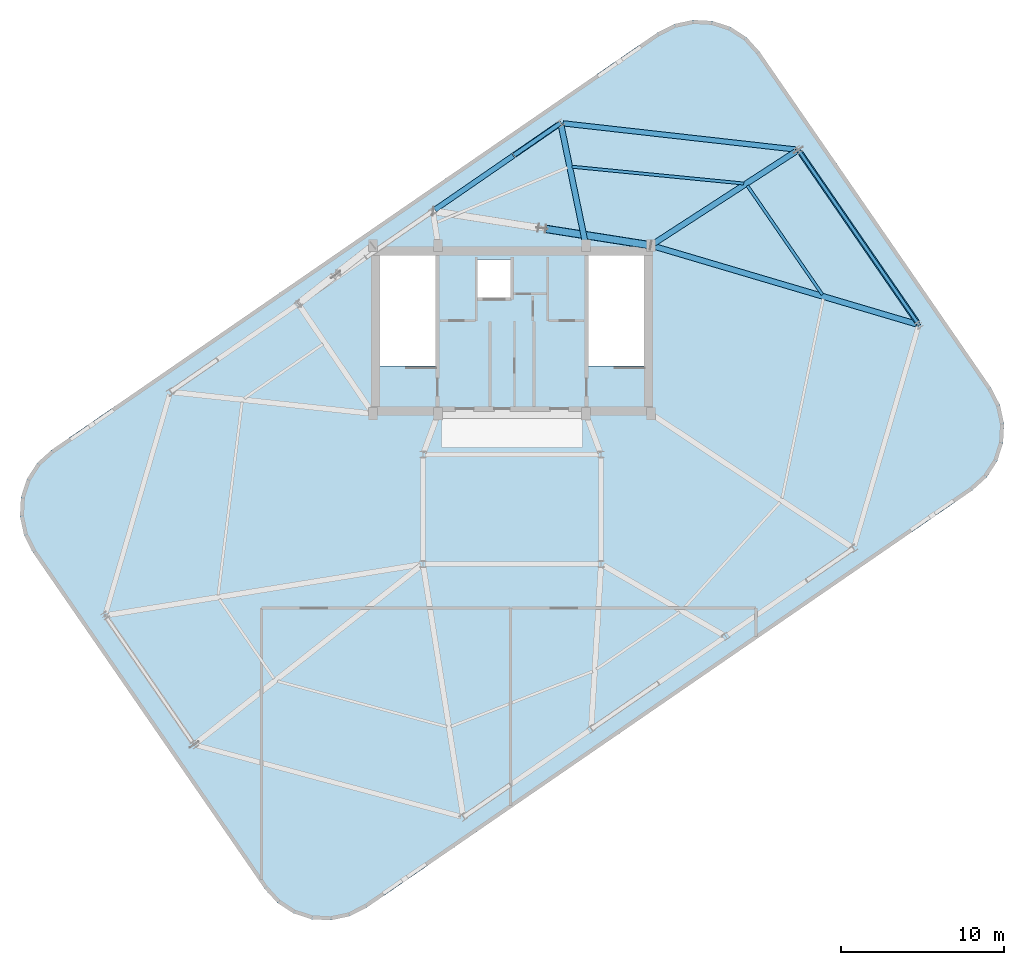
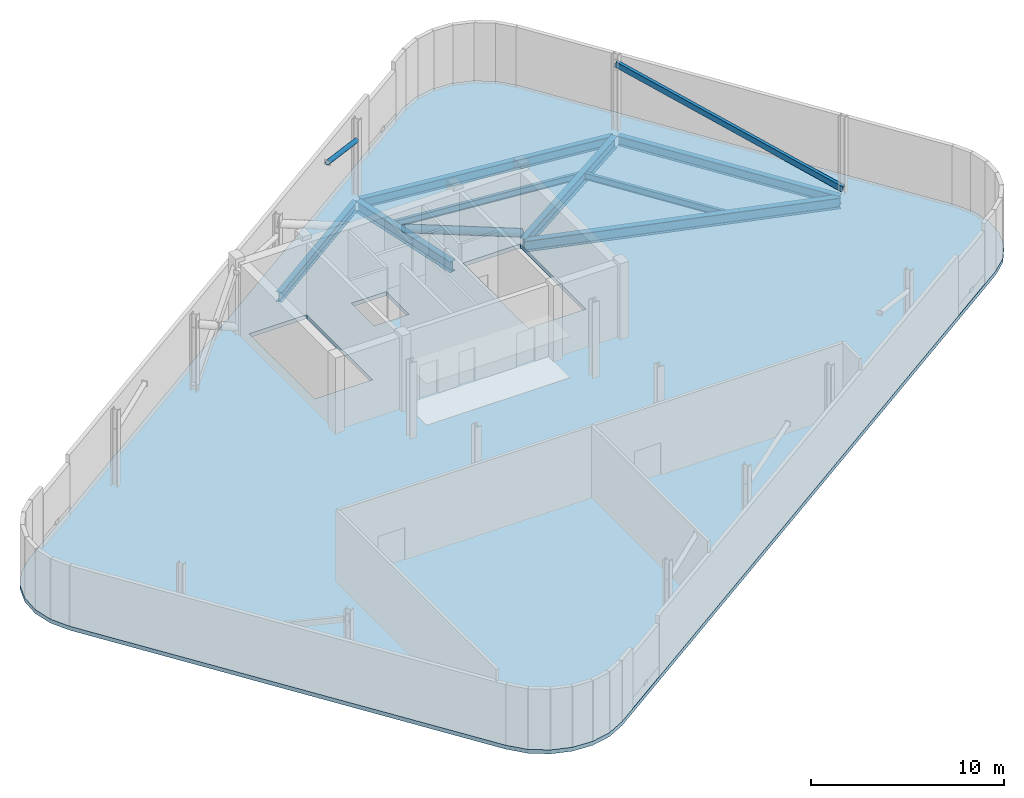
# One storey, part 2 of 10: 8 beams, 3 members, 1 slab.
"""IFC4 building model written with IfcOpenShell, lengths in metres."""

from ifc_helpers import new_model, si_unit, direction, frame, origin, origin_2d, place, context, subcontext, project, spatial, polyline, hollow_rectangle, hollow_circle, i_section, outline, extrude, material, layer, layer_set, material_profile, profile_set, type_object, element, save


model = new_model("IFC4")

# Units and contexts
model_context = context("Model", 3, precision=1e-05, world=origin(), true_north=direction((0.0, 1.0)))
body_context = subcontext(model_context, "Body", "Model", "MODEL_VIEW")
ifc_project = project(units=[si_unit("LENGTHUNIT", "METRE"), si_unit("AREAUNIT", "SQUARE_METRE"), si_unit("VOLUMEUNIT", "CUBIC_METRE"), si_unit("PLANEANGLEUNIT", "RADIAN"), si_unit("MASSUNIT", "GRAM", prefix="KILO")], contexts=[model_context])

# Site, building, storey
site_placement = place(None, origin())
site = spatial("IfcSite", under=ifc_project, at=site_placement, CompositionType="ELEMENT")
building_placement = place(site_placement, origin())
building = spatial("IfcBuilding", under=site, at=building_placement, Name="Varnelok Gate Tower", CompositionType="ELEMENT")
storey_placement = place(building_placement, frame((0.0, 0.0, 305.89990234375)))
storey = spatial("IfcBuildingStorey", under=building, at=storey_placement, Name="L78", CompositionType="ELEMENT", Elevation=305.89990234375)

# Beams
ifc_material_1 = material(Name="Structural Steel ASTM A992 Grade 50", Category="steel")
ifc_material_profile_1 = material_profile(ifc_material_1, i_section(OverallWidth=0.180908203125, OverallDepth=0.4169921875, WebThickness=0.010986328125, FlangeThickness=0.018310546875, FilletRadius=0.013916015625, at=origin_2d()), Name="W16X57")
ifc_profile_set_1 = profile_set([ifc_material_profile_1], Name="Structural Steel ASTM A992 Grade 50")
beam_type_1 = type_object("IfcBeamType", Name="BM-JST-W16X57", PredefinedType="JOIST", material=ifc_profile_set_1)
beam_1_placement = place(storey_placement, frame((58.19775390625, 36.032958984375, -0.45849609375), z_axis=(-0.56725984036, 0.823538871891, 0.0), x_axis=(-0.823538871891, -0.56725984036, 0.0)))
element("IfcBeam", 1, at=beam_1_placement, inside=storey, type_object=beam_type_1, Name="L78 Sector Floor Joist 5", PredefinedType="JOIST", context=body_context, shape_type="SweptSolid", body=[
    extrude(i_section(OverallWidth=0.180908203125, OverallDepth=0.4169921875, WebThickness=0.010986328125, FlangeThickness=0.018310546875, FilletRadius=0.013916015625, at=origin_2d()), origin(), (0.0, 0.0, 1.0), 8.10498046875),
])
beam_2_placement = place(storey_placement, frame((53.38134765625, 42.836669921875, -0.45849609375), z_axis=(-0.995248784304, 0.097364558957, 0.0), x_axis=(-0.097364558957, -0.995248784304, 0.0)))
element("IfcBeam", 2, at=beam_2_placement, inside=storey, type_object=beam_type_1, Name="L78 Sector Floor Joist 6", PredefinedType="JOIST", context=body_context, shape_type="SweptSolid", body=[
    extrude(i_section(OverallWidth=0.180908203125, OverallDepth=0.4169921875, WebThickness=0.010986328125, FlangeThickness=0.018310546875, FilletRadius=0.013916015625, at=origin_2d()), origin(), (0.0, 0.0, 1.0), 10.566650390625),
])
ifc_material_profile_2 = material_profile(ifc_material_1, i_section(OverallWidth=0.35498046875, OverallDepth=0.696044921875, WebThickness=0.015380859375, FlangeThickness=0.02490234375, FilletRadius=0.02001953125, at=origin_2d()), Name="W27X146")
ifc_profile_set_2 = profile_set([ifc_material_profile_2], Name="Structural Steel ASTM A992 Grade 50")
beam_type_2 = type_object("IfcBeamType", Name="BM-PRI-W27X146", PredefinedType="BEAM", material=ifc_profile_set_2)
beam_3_placement = place(storey_placement, frame((47.84375, 39.00732421875, -0.597900390625), z_axis=(0.958841196599, -0.283942881059, 0.0), x_axis=(0.283942881059, 0.958841196599, 0.0)))
element("IfcBeam", 3, at=beam_3_placement, inside=storey, type_object=beam_type_2, Name="L78 Radial Floor Girder 5", PredefinedType="BEAM", context=body_context, shape_type="SweptSolid", body=[
    extrude(i_section(OverallWidth=0.35498046875, OverallDepth=0.696044921875, WebThickness=0.015380859375, FlangeThickness=0.02490234375, FilletRadius=0.02001953125, at=origin_2d()), origin(), (0.0, 0.0, 1.0), 16.802734375),
])
beam_4_placement = place(storey_placement, frame((47.825927734375, 39.131591796875, -0.597900390625), z_axis=(0.839123772817, 0.543940524225, 0.0), x_axis=(-0.543940524225, 0.839123772817, 0.0)))
element("IfcBeam", 4, at=beam_4_placement, inside=storey, type_object=beam_type_2, Name="L78 Radial Floor Girder 6", PredefinedType="BEAM", context=body_context, shape_type="SweptSolid", body=[
    extrude(i_section(OverallWidth=0.35498046875, OverallDepth=0.696044921875, WebThickness=0.015380859375, FlangeThickness=0.02490234375, FilletRadius=0.02001953125, at=origin_2d()), origin(), (0.0, 0.0, 1.0), 10.454345703125),
])
beam_5_placement = place(storey_placement, frame((43.689697265625, 39.197021484375, -0.597900390625), z_axis=(-0.201649168815, 0.97945781569, 0.0), x_axis=(-0.97945781569, -0.201649168815, 0.0)))
element("IfcBeam", 5, at=beam_5_placement, inside=storey, type_object=beam_type_2, Name="L78 Radial Floor Girder 7", PredefinedType="BEAM", context=body_context, shape_type="SweptSolid", body=[
    extrude(i_section(OverallWidth=0.35498046875, OverallDepth=0.696044921875, WebThickness=0.015380859375, FlangeThickness=0.02490234375, FilletRadius=0.02001953125, at=origin_2d()), origin(), (0.0, 0.0, 1.0), 7.34423828125),
])
ifc_material_profile_3 = material_profile(ifc_material_1, i_section(OverallWidth=0.323974609375, OverallDepth=0.611083984375, WebThickness=0.0126953125, FlangeThickness=0.01904296875, FilletRadius=0.01806640625, at=origin_2d()), Name="W24X104")
ifc_profile_set_3 = profile_set([ifc_material_profile_3], Name="Structural Steel ASTM A992 Grade 50")
beam_type_3 = type_object("IfcBeamType", Name="BM-SPN-W24X104", PredefinedType="SPANDREL", material=ifc_profile_set_3)
beam_6_placement = place(storey_placement, frame((64.013671875, 34.317138671875, -0.555419921875), z_axis=(-0.56726612552, 0.823534542589, 0.0), x_axis=(-0.823534542589, -0.56726612552, 0.0)))
element("IfcBeam", 6, at=beam_6_placement, inside=storey, type_object=beam_type_3, Name="L78 Perimeter Spandrel Beam 5", PredefinedType="SPANDREL", context=body_context, shape_type="SweptSolid", body=[
    extrude(i_section(OverallWidth=0.323974609375, OverallDepth=0.611083984375, WebThickness=0.0126953125, FlangeThickness=0.01904296875, FilletRadius=0.01806640625, at=origin_2d()), origin(), (0.0, 0.0, 1.0), 12.7001953125),
])
beam_7_placement = place(storey_placement, frame((56.5751953125, 44.91650390625, -0.555419921875), z_axis=(-0.993722587756, 0.111872331629, 0.0), x_axis=(-0.111872331629, -0.993722587756, 0.0)))
element("IfcBeam", 7, at=beam_7_placement, inside=storey, type_object=beam_type_3, Name="L78 Perimeter Spandrel Beam 6", PredefinedType="SPANDREL", context=body_context, shape_type="SweptSolid", body=[
    extrude(i_section(OverallWidth=0.323974609375, OverallDepth=0.611083984375, WebThickness=0.0126953125, FlangeThickness=0.01904296875, FilletRadius=0.01806640625, at=origin_2d()), origin(), (0.0, 0.0, 1.0), 14.337890625),
])
beam_8_placement = place(storey_placement, frame((42.054931640625, 46.4521484375, -0.555419921875), z_axis=(-0.823544516234, -0.567251645905, 0.0), x_axis=(0.567251645905, -0.823544516234, 0.0)))
element("IfcBeam", 8, at=beam_8_placement, inside=storey, type_object=beam_type_3, Name="L78 Perimeter Spandrel Beam 7", PredefinedType="SPANDREL", context=body_context, shape_type="SweptSolid", body=[
    extrude(i_section(OverallWidth=0.323974609375, OverallDepth=0.611083984375, WebThickness=0.0126953125, FlangeThickness=0.01904296875, FilletRadius=0.01806640625, at=origin_2d()), origin(), (0.0, 0.0, 1.0), 9.199951171875),
])

# Members
ifc_material_2 = material(Name="Structural Steel ASTM A500 Grade C", Category="steel")
ifc_material_profile_4 = material_profile(ifc_material_2, hollow_rectangle(XDim=0.199951171875, YDim=0.35009765625, WallThickness=0.012451171875, at=origin_2d()), Name="HSS350X200X12")
ifc_profile_set_4 = profile_set([ifc_material_profile_4], Name="Structural Steel ASTM A500 Grade C")
member_type_1 = type_object("IfcMemberType", Name="MEM-BLT-BRACE2", PredefinedType="BRACE", material=ifc_profile_set_4)
member_1_placement = place(storey_placement, frame((64.0986328125, 34.193603515625, 0.2001953125), z_axis=(-0.542297676507, 0.787288542349, 0.293410942434), x_axis=(-0.823535285572, -0.567265046885, 0.0)))
element("IfcMember", 9, at=member_1_placement, inside=storey, type_object=member_type_1, Name="L78 Belt Truss Diagonal Brace 1", PredefinedType="BRACE", context=body_context, shape_type="SweptSolid", body=[
    extrude(hollow_rectangle(XDim=0.199951171875, YDim=0.35009765625, WallThickness=0.012451171875, at=origin_2d()), origin(), (0.0, 0.0, 1.0), 13.5986328125),
])
ifc_material_profile_5 = material_profile(ifc_material_2, hollow_circle(Radius=0.136474609375, WallThickness=0.012451171875, at=origin_2d()), Name="CHS273X12")
ifc_profile_set_5 = profile_set([ifc_material_profile_5], Name="Structural Steel ASTM A500 Grade C")
member_type_2 = type_object("IfcMemberType", Name="MEM-CANOPY-TIE", PredefinedType="BRACE", material=ifc_profile_set_5)
member_2_placement = place(storey_placement, frame((42.178466796875, 46.537109375, 3.440185546875), z_axis=(-0.802868810432, -0.552971048228, 0.222766005164), x_axis=(0.567224292079, -0.823563356686, 0.0)))
element("IfcMember", 10, at=member_2_placement, inside=storey, type_object=member_type_2, Name="Crown Canopy Inclined Strut 4", PredefinedType="BRACE", context=body_context, shape_type="SweptSolid", body=[
    extrude(hollow_circle(Radius=0.136474609375, WallThickness=0.012451171875, at=origin_2d()), origin(), (0.0, 0.0, 1.0), 3.59033203125),
])
ifc_material_profile_6 = material_profile(ifc_material_2, hollow_circle(Radius=0.228515625, WallThickness=0.02001953125, at=origin_2d()), Name="CHS457X20")
ifc_profile_set_6 = profile_set([ifc_material_profile_6], Name="Structural Steel ASTM A500 Grade C")
member_type_3 = type_object("IfcMemberType", Name="MEM-TRUSS-DIAG", PredefinedType="BRACE", material=ifc_profile_set_6)
member_3_placement = place(storey_placement, frame((47.699951171875, 39.050048828125, 0.2001953125), z_axis=(-0.947406292385, 0.148961453155, 0.283252189089), x_axis=(-0.155322619337, -0.987863798265, 0.0)))
element("IfcMember", 11, at=member_3_placement, inside=storey, type_object=member_type_3, Name="L78 Plant Outrigger Counter-Diagonal 2A", PredefinedType="BRACE", context=body_context, shape_type="SweptSolid", body=[
    extrude(hollow_circle(Radius=0.228515625, WallThickness=0.02001953125, at=origin_2d()), origin(), (0.0, 0.0, 1.0), 6.822998046875),
])

# Slab
ifc_material_3 = material(Name="Concrete C50/60", Category="concrete")
ifc_layer = layer(ifc_material_3, 0.25)
ifc_layer_set = layer_set([ifc_layer], Name="Concrete C50/60")
slab_type = type_object("IfcSlabType", Name="SLB-TYP-250", PredefinedType="FLOOR", material=ifc_layer_set)
slab_placement = place(storey_placement, frame((0.0, 0.0, -0.25)))
element("IfcSlab", 12, at=slab_placement, inside=storey, type_object=slab_type, Name="L78 Structural Floor Slab", PredefinedType="FLOOR", context=body_context, shape_type="SweptSolid", body=[
    extrude(outline(polyline([(24.055419921875, -0.310302734375), (24.84228515625, -1.1826171875), (25.828369140625, -1.8212890625), (26.94580078125, -2.18310546875), (28.119140625, -2.243408203125), (29.26806640625, -1.998046875), (30.314208984375, -1.463623046875), (67.373046875, 24.0634765625), (68.245361328125, 24.850341796875), (68.884033203125, 25.83642578125), (69.245849609375, 26.9541015625), (69.30615234375, 28.127197265625), (69.060791015625, 29.27587890625), (68.526123046875, 30.322021484375), (54.344482421875, 50.910400390625), (53.5576171875, 51.78271484375), (52.57177734375, 52.42138671875), (51.4541015625, 52.783203125), (50.281005859375, 52.843505859375), (49.132080078125, 52.59814453125), (48.0859375, 52.063720703125), (11.02685546875, 26.53662109375), (10.15478515625, 25.74951171875), (9.51611328125, 24.763671875), (9.154052734375, 23.64599609375), (9.093994140625, 22.472900390625), (9.33935546875, 21.323974609375), (9.873779296875, 20.27783203125), (24.055419921875, -0.310302734375)]), holes=[polyline([(34.550048828125, 31.679931640625), (34.550048828125, 38.449951171875), (31.10009765625, 38.449951171875), (31.10009765625, 31.679931640625), (34.550048828125, 31.679931640625)]), polyline([(47.300048828125, 31.679931640625), (47.300048828125, 38.449951171875), (43.85009765625, 38.449951171875), (43.85009765625, 31.679931640625), (47.300048828125, 31.679931640625)]), polyline([(37.050048828125, 35.85009765625), (39.14990234375, 35.85009765625), (39.14990234375, 38.199951171875), (37.050048828125, 38.199951171875), (37.050048828125, 35.85009765625)])]), origin(), (0.0, 0.0, 1.0), 0.25),
])

save(model, "model.ifc")
